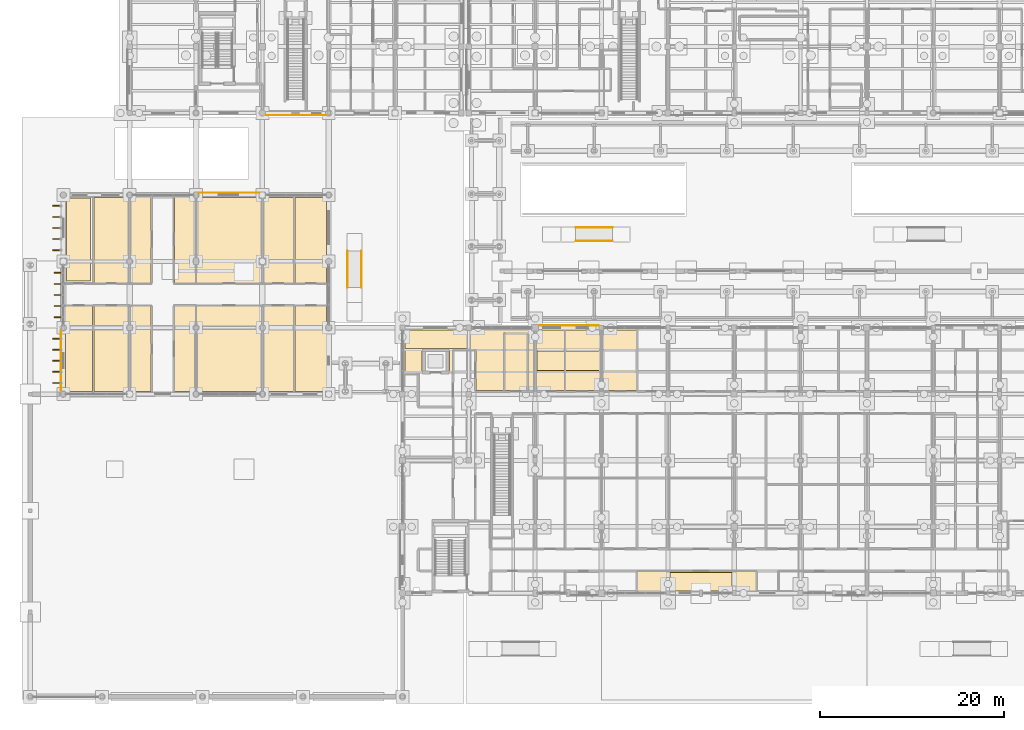
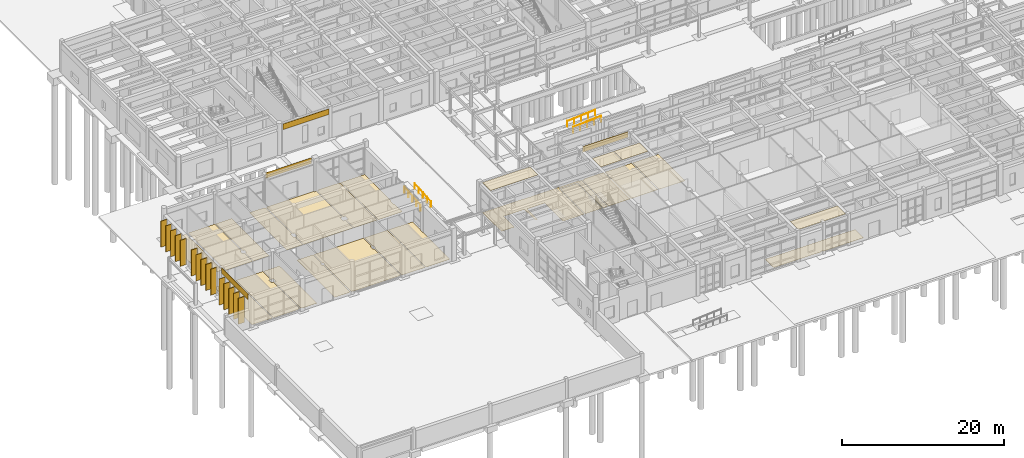
# One storey, part 128 of 143: 28 coverings, 15 shading devices, 4 railings.
"""IFC4 building model written with IfcOpenShell, lengths in metres."""

from ifc_helpers import new_model, si_unit, direction, frame, origin, origin_2d, place, context, subcontext, project, spatial, polyline, rectangle, circle, outline, extrude, material, layer, layer_set, material_profile, profile_set, type_object, element, save


model = new_model("IFC4")

# Units and contexts
model_context = context("Model", 3, precision=1e-05, world=origin(), true_north=direction((0.0, 1.0)))
body_context = subcontext(model_context, "Body", "Model", "MODEL_VIEW")
ifc_project = project(units=[si_unit("LENGTHUNIT", "METRE"), si_unit("AREAUNIT", "SQUARE_METRE"), si_unit("VOLUMEUNIT", "CUBIC_METRE"), si_unit("PLANEANGLEUNIT", "RADIAN"), si_unit("MASSUNIT", "GRAM", prefix="KILO")], contexts=[model_context])

# Site, building, storey
site_placement = place(None, origin())
site = spatial("IfcSite", under=ifc_project, at=site_placement, CompositionType="ELEMENT")
building_placement = place(site_placement, origin())
building = spatial("IfcBuilding", under=site, at=building_placement, Name="Steenspoor Specialist Clinic", CompositionType="ELEMENT")
storey_placement = place(building_placement, origin())
storey = spatial("IfcBuildingStorey", under=building, at=storey_placement, Name="L00", CompositionType="ELEMENT", Elevation=0.0)

# Coverings
ifc_material_1 = material(Name="Washable acoustic mineral ceiling board", Category="gypsum")
ifc_layer_1 = layer(ifc_material_1, 0.02490234375)
ifc_layer_set_1 = layer_set([ifc_layer_1], Name="Washable acoustic mineral ceiling board")
covering_type_1 = type_object("IfcCoveringType", Name="COV-CEIL-ACOUSTIC", PredefinedType="CEILING", material=ifc_layer_set_1)
covering_1_placement = place(storey_placement, frame((0.0, 0.0, 4.52490234375)))
element("IfcCovering", 1, at=covering_1_placement, inside=storey, type_object=covering_type_1, Name="Acoustic Clinical Ceiling 002", PredefinedType="CEILING", context=body_context, shape_type="SweptSolid", body=[
    extrude(outline(polyline([(77.784912109375, 13.31005859375), (77.784912109375, 13.405029296875), (77.4150390625, 13.405029296875), (77.4150390625, 13.31005859375), (74.219970703125, 13.31005859375), (74.219970703125, 15.300048828125), (80.97998046875, 15.300048828125), (80.97998046875, 13.320068359375), (80.985107421875, 13.320068359375), (80.985107421875, 13.31005859375), (77.784912109375, 13.31005859375)])), origin(), (0.0, 0.0, 1.0), 0.025146484375),
])
covering_2_placement = place(storey_placement, frame((0.0, 0.0, 4.52490234375)))
element("IfcCovering", 2, at=covering_2_placement, inside=storey, type_object=covering_type_1, Name="Acoustic Clinical Ceiling 027", PredefinedType="CEILING", context=body_context, shape_type="SweptSolid", body=[
    extrude(outline(polyline([(50.2900390625, 39.614990234375), (47.31005859375, 39.614990234375), (47.31005859375, 39.60009765625), (45.4599609375, 39.60009765625), (45.4599609375, 41.56005859375), (45.489990234375, 41.56005859375), (45.489990234375, 41.590087890625), (52.0849609375, 41.590087890625), (52.0849609375, 41.534912109375), (52.22998046875, 41.534912109375), (52.22998046875, 39.60009765625), (50.2900390625, 39.60009765625), (50.2900390625, 39.614990234375)])), origin(), (0.0, 0.0, 1.0), 0.025146484375),
])
covering_3_placement = place(storey_placement, frame((0.0, 0.0, 4.52490234375)))
element("IfcCovering", 3, at=covering_3_placement, inside=storey, type_object=covering_type_1, Name="Acoustic Clinical Ceiling 028", PredefinedType="CEILING", context=body_context, shape_type="SweptSolid", body=[
    extrude(outline(polyline([(62.784912109375, 37.18994140625), (59.820068359375, 37.18994140625), (59.820068359375, 39.300048828125), (62.784912109375, 39.300048828125), (62.784912109375, 37.18994140625)])), origin(), (0.0, 0.0, 1.0), 0.025146484375),
])
covering_4_placement = place(storey_placement, frame((0.0, 0.0, 4.52490234375)))
element("IfcCovering", 4, at=covering_4_placement, inside=storey, type_object=covering_type_1, Name="Acoustic Clinical Ceiling 029", PredefinedType="CEILING", context=body_context, shape_type="SweptSolid", body=[
    extrude(outline(polyline([(62.9150390625, 39.300048828125), (66.580078125, 39.300048828125), (66.580078125, 37.18994140625), (62.9150390625, 37.18994140625), (62.9150390625, 39.300048828125)])), origin(), (0.0, 0.0, 1.0), 0.025146484375),
])
ifc_material_2 = material(Name="Glazed ceramic relief spandrel cladding", Category="masonry")
ifc_layer_2 = layer(ifc_material_2, 0.034912109375)
ifc_layer_set_2 = layer_set([ifc_layer_2], Name="Glazed ceramic relief spandrel cladding")
covering_type_2 = type_object("IfcCoveringType", Name="COV-CLAD-CERAMIC", PredefinedType="CLADDING", material=ifc_layer_set_2)
covering_5_placement = place(storey_placement, frame((63.262451171875, 42.10009765625, 3.71484375), z_axis=(0.0, 0.0, 1.0), x_axis=(1.0, 0.0, 0.0)))
element("IfcCovering", 5, at=covering_5_placement, inside=storey, type_object=covering_type_2, Name="Spandrel Cladding 4", PredefinedType="CLADDING", context=body_context, shape_type="SweptSolid", body=[
    extrude(rectangle(XDim=6.455078125, YDim=0.0400390625, at=origin_2d()), origin(), (0.0, 0.0, 1.0), 0.840087890625),
])
for number, where, z_axis, x_axis, name in (
    (6, (8.14990234375, 38.262451171875, 3.96484375), (0.0, 0.0, 1.0), (0.0, 1.0, 0.0), "Spandrel Cladding 18"),
    (7, (26.33740234375, 56.5, 3.96484375), (0.0, 0.0, 1.0), (1.0, 0.0, 0.0), "Spandrel Cladding 19"),
):
    element("IfcCovering", number, at=place(storey_placement, frame(where, z_axis=z_axis, x_axis=x_axis)), inside=storey, type_object=covering_type_2, Name=name, PredefinedType="CLADDING", context=body_context, shape_type="SweptSolid", body=[
        extrude(rectangle(XDim=6.5048828125, YDim=0.0400390625, at=origin_2d()), origin(), (0.0, 0.0, 1.0), 0.840087890625),
    ])
covering_6_placement = place(storey_placement, frame((33.675048828125, 64.89990234375, 3.68505859375), z_axis=(0.0, 0.0, 1.0), x_axis=(-1.0, 0.0, 0.0)))
element("IfcCovering", 8, at=covering_6_placement, inside=storey, type_object=covering_type_2, Name="Spandrel Cladding 64", PredefinedType="CLADDING", context=body_context, shape_type="SweptSolid", body=[
    extrude(rectangle(XDim=6.530029296875, YDim=0.0400390625, at=origin_2d()), origin(), (0.0, 0.0, 1.0), 0.840087890625),
])
ifc_material_3 = material(Name="Seamless clinical vinyl and terrazzo flooring", Category="plastic")
ifc_layer_3 = layer(ifc_material_3, 0.02001953125)
ifc_layer_set_3 = layer_set([ifc_layer_3], Name="Seamless clinical vinyl and terrazzo flooring")
covering_type_3 = type_object("IfcCoveringType", Name="COV-FLOOR-VINYL", PredefinedType="FLOORING", material=ifc_layer_set_3)
covering_7_placement = place(storey_placement, origin())
element("IfcCovering", 9, at=covering_7_placement, inside=storey, type_object=covering_type_3, Name="Clinical Vinyl Flooring 3", PredefinedType="FLOORING", context=body_context, shape_type="SweptSolid", body=[
    extrude(outline(polyline([(83.534912109375, 13.31005859375), (81.4150390625, 13.31005859375), (81.4150390625, 13.340087890625), (80.985107421875, 13.340087890625), (80.985107421875, 13.31005859375), (77.784912109375, 13.31005859375), (77.784912109375, 13.405029296875), (77.4150390625, 13.405029296875), (77.4150390625, 13.31005859375), (70.715087890625, 13.31005859375), (70.715087890625, 15.385009765625), (83.534912109375, 15.385009765625), (83.534912109375, 13.31005859375)])), origin(), (0.0, 0.0, 1.0), 0.02001953125),
])
covering_8_placement = place(storey_placement, origin())
element("IfcCovering", 10, at=covering_8_placement, inside=storey, type_object=covering_type_3, Name="Clinical Vinyl Flooring 31", PredefinedType="FLOORING", context=body_context, shape_type="SweptSolid", body=[
    extrude(outline(polyline([(58.735107421875, 41.1650390625), (58.735107421875, 35.014892578125), (56.31494140625, 35.014892578125), (56.31494140625, 41.1650390625), (58.735107421875, 41.1650390625)])), origin(), (0.0, 0.0, 1.0), 0.02001953125),
])
covering_9_placement = place(storey_placement, origin())
element("IfcCovering", 11, at=covering_9_placement, inside=storey, type_object=covering_type_3, Name="Clinical Vinyl Flooring 32", PredefinedType="FLOORING", context=body_context, shape_type="SweptSolid", body=[
    extrude(outline(polyline([(58.864990234375, 35.014892578125), (58.864990234375, 41.294921875), (56.18505859375, 41.294921875), (56.18505859375, 35.014892578125), (53.1650390625, 35.014892578125), (53.1650390625, 39.514892578125), (50.635009765625, 39.514892578125), (50.635009765625, 36.9150390625), (50.2900390625, 36.9150390625), (50.2900390625, 39.614990234375), (47.31005859375, 39.614990234375), (47.31005859375, 36.9150390625), (45.4599609375, 36.9150390625), (45.4599609375, 41.56005859375), (45.489990234375, 41.56005859375), (45.489990234375, 41.590087890625), (52.0849609375, 41.590087890625), (52.0849609375, 41.534912109375), (52.715087890625, 41.534912109375), (52.715087890625, 41.590087890625), (59.2099609375, 41.590087890625), (59.2099609375, 41.4599609375), (59.534912109375, 41.4599609375), (59.534912109375, 35.014892578125), (58.864990234375, 35.014892578125)])), origin(), (0.0, 0.0, 1.0), 0.02001953125),
])
covering_10_placement = place(storey_placement, origin())
element("IfcCovering", 12, at=covering_10_placement, inside=storey, type_object=covering_type_3, Name="Clinical Vinyl Flooring 33", PredefinedType="FLOORING", context=body_context, shape_type="SweptSolid", body=[
    extrude(outline(polyline([(59.6650390625, 41.4599609375), (59.989990234375, 41.4599609375), (59.989990234375, 41.590087890625), (62.784912109375, 41.590087890625), (62.784912109375, 35.014892578125), (59.6650390625, 35.014892578125), (59.6650390625, 41.4599609375)])), origin(), (0.0, 0.0, 1.0), 0.02001953125),
])
covering_11_placement = place(storey_placement, origin())
element("IfcCovering", 13, at=covering_11_placement, inside=storey, type_object=covering_type_3, Name="Clinical Vinyl Flooring 34", PredefinedType="FLOORING", context=body_context, shape_type="SweptSolid", body=[
    extrude(outline(polyline([(62.9150390625, 41.590087890625), (66.534912109375, 41.590087890625), (66.534912109375, 41.5849609375), (66.735107421875, 41.5849609375), (66.735107421875, 35.014892578125), (62.9150390625, 35.014892578125), (62.9150390625, 41.590087890625)])), origin(), (0.0, 0.0, 1.0), 0.02001953125),
])
covering_12_placement = place(storey_placement, origin())
element("IfcCovering", 14, at=covering_12_placement, inside=storey, type_object=covering_type_3, Name="Clinical Vinyl Flooring 35", PredefinedType="FLOORING", context=body_context, shape_type="SweptSolid", body=[
    extrude(outline(polyline([(66.864990234375, 41.5849609375), (67.06494140625, 41.5849609375), (67.06494140625, 41.590087890625), (70.5849609375, 41.590087890625), (70.5849609375, 35.014892578125), (66.864990234375, 35.014892578125), (66.864990234375, 41.5849609375)])), origin(), (0.0, 0.0, 1.0), 0.02001953125),
])
covering_13_placement = place(storey_placement, origin())
element("IfcCovering", 15, at=covering_13_placement, inside=storey, type_object=covering_type_3, Name="Clinical Vinyl Flooring 61", PredefinedType="FLOORING", context=body_context, shape_type="SweptSolid", body=[
    extrude(outline(polyline([(11.5849609375, 34.909912109375), (8.659912109375, 34.909912109375), (8.659912109375, 44.18505859375), (11.5849609375, 44.18505859375), (11.5849609375, 34.909912109375)])), origin(), (0.0, 0.0, 1.0), 0.02001953125),
])
covering_14_placement = place(storey_placement, origin())
element("IfcCovering", 16, at=covering_14_placement, inside=storey, type_object=covering_type_3, Name="Clinical Vinyl Flooring 62", PredefinedType="FLOORING", context=body_context, shape_type="SweptSolid", body=[
    extrude(outline(polyline([(15.534912109375, 44.18505859375), (15.534912109375, 42.1650390625), (15.284912109375, 42.1650390625), (15.284912109375, 41.534912109375), (15.534912109375, 41.534912109375), (15.534912109375, 34.989990234375), (15.260009765625, 34.989990234375), (15.260009765625, 34.909912109375), (11.715087890625, 34.909912109375), (11.715087890625, 44.18505859375), (15.534912109375, 44.18505859375)])), origin(), (0.0, 0.0, 1.0), 0.02001953125),
])
covering_15_placement = place(storey_placement, origin())
element("IfcCovering", 17, at=covering_15_placement, inside=storey, type_object=covering_type_3, Name="Clinical Vinyl Flooring 63", PredefinedType="FLOORING", context=body_context, shape_type="SweptSolid", body=[
    extrude(outline(polyline([(17.93505859375, 44.18505859375), (17.93505859375, 34.909912109375), (15.93994140625, 34.909912109375), (15.93994140625, 34.989990234375), (15.6650390625, 34.989990234375), (15.6650390625, 41.534912109375), (15.9150390625, 41.534912109375), (15.9150390625, 42.1650390625), (15.6650390625, 42.1650390625), (15.6650390625, 44.18505859375), (17.93505859375, 44.18505859375)])), origin(), (0.0, 0.0, 1.0), 0.02001953125),
])
covering_16_placement = place(storey_placement, origin())
element("IfcCovering", 18, at=covering_16_placement, inside=storey, type_object=covering_type_3, Name="Clinical Vinyl Flooring 64", PredefinedType="FLOORING", context=body_context, shape_type="SweptSolid", body=[
    extrude(outline(polyline([(22.735107421875, 42.06494140625), (22.5849609375, 42.06494140625), (22.5849609375, 41.635009765625), (22.735107421875, 41.635009765625), (22.735107421875, 34.965087890625), (22.485107421875, 34.965087890625), (22.485107421875, 34.909912109375), (20.465087890625, 34.909912109375), (20.465087890625, 44.18505859375), (22.735107421875, 44.18505859375), (22.735107421875, 42.06494140625)])), origin(), (0.0, 0.0, 1.0), 0.02001953125),
])
covering_17_placement = place(storey_placement, origin())
element("IfcCovering", 19, at=covering_17_placement, inside=storey, type_object=covering_type_3, Name="Clinical Vinyl Flooring 65", PredefinedType="FLOORING", context=body_context, shape_type="SweptSolid", body=[
    extrude(outline(polyline([(29.93505859375, 42.139892578125), (29.784912109375, 42.139892578125), (29.784912109375, 41.56005859375), (29.93505859375, 41.56005859375), (29.93505859375, 34.965087890625), (29.760009765625, 34.965087890625), (29.760009765625, 34.909912109375), (23.114990234375, 34.909912109375), (23.114990234375, 34.965087890625), (22.864990234375, 34.965087890625), (22.864990234375, 41.635009765625), (23.014892578125, 41.635009765625), (23.014892578125, 42.06494140625), (22.864990234375, 42.06494140625), (22.864990234375, 44.18505859375), (29.93505859375, 44.18505859375), (29.93505859375, 42.139892578125)])), origin(), (0.0, 0.0, 1.0), 0.02001953125),
])
covering_18_placement = place(storey_placement, origin())
element("IfcCovering", 20, at=covering_18_placement, inside=storey, type_object=covering_type_3, Name="Clinical Vinyl Flooring 66", PredefinedType="FLOORING", context=body_context, shape_type="SweptSolid", body=[
    extrude(outline(polyline([(33.385009765625, 34.909912109375), (30.239990234375, 34.909912109375), (30.239990234375, 34.965087890625), (30.06494140625, 34.965087890625), (30.06494140625, 41.56005859375), (30.215087890625, 41.56005859375), (30.215087890625, 42.139892578125), (30.06494140625, 42.139892578125), (30.06494140625, 44.18505859375), (33.385009765625, 44.18505859375), (33.385009765625, 34.909912109375)])), origin(), (0.0, 0.0, 1.0), 0.02001953125),
])
covering_19_placement = place(storey_placement, origin())
element("IfcCovering", 21, at=covering_19_placement, inside=storey, type_object=covering_type_3, Name="Clinical Vinyl Flooring 67", PredefinedType="FLOORING", context=body_context, shape_type="SweptSolid", body=[
    extrude(outline(polyline([(36.93994140625, 42.1650390625), (36.885009765625, 42.1650390625), (36.885009765625, 41.534912109375), (36.93994140625, 41.534912109375), (36.93994140625, 34.989990234375), (36.860107421875, 34.989990234375), (36.860107421875, 34.909912109375), (33.514892578125, 34.909912109375), (33.514892578125, 44.18505859375), (36.93994140625, 44.18505859375), (36.93994140625, 42.1650390625)])), origin(), (0.0, 0.0, 1.0), 0.02001953125),
])
covering_20_placement = place(storey_placement, origin())
element("IfcCovering", 22, at=covering_20_placement, inside=storey, type_object=covering_type_3, Name="Clinical Vinyl Flooring 68", PredefinedType="FLOORING", context=body_context, shape_type="SweptSolid", body=[
    extrude(outline(polyline([(11.364990234375, 55.925048828125), (11.364990234375, 46.93505859375), (8.72509765625, 46.93505859375), (8.72509765625, 48.659912109375), (8.7900390625, 48.659912109375), (8.7900390625, 49.43994140625), (8.72509765625, 49.43994140625), (8.72509765625, 55.909912109375), (8.739990234375, 55.909912109375), (8.739990234375, 55.925048828125), (11.364990234375, 55.925048828125)])), origin(), (0.0, 0.0, 1.0), 0.02001953125),
])
covering_21_placement = place(storey_placement, origin())
element("IfcCovering", 23, at=covering_21_placement, inside=storey, type_object=covering_type_3, Name="Clinical Vinyl Flooring 69", PredefinedType="FLOORING", context=body_context, shape_type="SweptSolid", body=[
    extrude(outline(polyline([(11.715087890625, 55.989990234375), (15.3349609375, 55.989990234375), (15.3349609375, 55.985107421875), (15.534912109375, 55.985107421875), (15.534912109375, 49.340087890625), (15.31005859375, 49.340087890625), (15.31005859375, 48.760009765625), (15.534912109375, 48.760009765625), (15.534912109375, 46.715087890625), (11.715087890625, 46.715087890625), (11.715087890625, 55.989990234375)])), origin(), (0.0, 0.0, 1.0), 0.02001953125),
])
covering_22_placement = place(storey_placement, origin())
element("IfcCovering", 24, at=covering_22_placement, inside=storey, type_object=covering_type_3, Name="Clinical Vinyl Flooring 70", PredefinedType="FLOORING", context=body_context, shape_type="SweptSolid", body=[
    extrude(outline(polyline([(15.6650390625, 48.760009765625), (15.889892578125, 48.760009765625), (15.889892578125, 49.340087890625), (15.6650390625, 49.340087890625), (15.6650390625, 55.985107421875), (15.864990234375, 55.985107421875), (15.864990234375, 55.989990234375), (17.93505859375, 55.989990234375), (17.93505859375, 46.715087890625), (15.6650390625, 46.715087890625), (15.6650390625, 48.760009765625)])), origin(), (0.0, 0.0, 1.0), 0.02001953125),
])
covering_23_placement = place(storey_placement, origin())
element("IfcCovering", 25, at=covering_23_placement, inside=storey, type_object=covering_type_3, Name="Clinical Vinyl Flooring 71", PredefinedType="FLOORING", context=body_context, shape_type="SweptSolid", body=[
    extrude(outline(polyline([(20.465087890625, 46.715087890625), (20.465087890625, 55.989990234375), (22.56005859375, 55.989990234375), (22.56005859375, 55.909912109375), (22.735107421875, 55.909912109375), (22.735107421875, 49.4150390625), (22.534912109375, 49.4150390625), (22.534912109375, 48.68505859375), (22.735107421875, 48.68505859375), (22.735107421875, 46.715087890625), (20.465087890625, 46.715087890625)])), origin(), (0.0, 0.0, 1.0), 0.02001953125),
])
covering_24_placement = place(storey_placement, origin())
element("IfcCovering", 26, at=covering_24_placement, inside=storey, type_object=covering_type_3, Name="Clinical Vinyl Flooring 72", PredefinedType="FLOORING", context=body_context, shape_type="SweptSolid", body=[
    extrude(outline(polyline([(22.864990234375, 46.715087890625), (22.864990234375, 48.68505859375), (23.06494140625, 48.68505859375), (23.06494140625, 49.4150390625), (22.864990234375, 49.4150390625), (22.864990234375, 55.909912109375), (23.0400390625, 55.909912109375), (23.0400390625, 55.989990234375), (29.635009765625, 55.989990234375), (29.635009765625, 55.885009765625), (29.93505859375, 55.885009765625), (29.93505859375, 49.43994140625), (29.610107421875, 49.43994140625), (29.610107421875, 48.659912109375), (29.93505859375, 48.659912109375), (29.93505859375, 46.715087890625), (22.864990234375, 46.715087890625)])), origin(), (0.0, 0.0, 1.0), 0.02001953125),
])
covering_25_placement = place(storey_placement, origin())
element("IfcCovering", 27, at=covering_25_placement, inside=storey, type_object=covering_type_3, Name="Clinical Vinyl Flooring 73", PredefinedType="FLOORING", context=body_context, shape_type="SweptSolid", body=[
    extrude(outline(polyline([(30.06494140625, 46.715087890625), (30.06494140625, 48.659912109375), (30.389892578125, 48.659912109375), (30.389892578125, 49.43994140625), (30.06494140625, 49.43994140625), (30.06494140625, 55.885009765625), (30.364990234375, 55.885009765625), (30.364990234375, 55.989990234375), (33.385009765625, 55.989990234375), (33.385009765625, 46.715087890625), (30.06494140625, 46.715087890625)])), origin(), (0.0, 0.0, 1.0), 0.02001953125),
])
covering_26_placement = place(storey_placement, origin())
element("IfcCovering", 28, at=covering_26_placement, inside=storey, type_object=covering_type_3, Name="Clinical Vinyl Flooring 74", PredefinedType="FLOORING", context=body_context, shape_type="SweptSolid", body=[
    extrude(outline(polyline([(36.93505859375, 55.989990234375), (36.93505859375, 55.985107421875), (36.93994140625, 55.985107421875), (36.93994140625, 49.4150390625), (36.8349609375, 49.4150390625), (36.8349609375, 48.68505859375), (36.93994140625, 48.68505859375), (36.93994140625, 46.715087890625), (33.514892578125, 46.715087890625), (33.514892578125, 55.989990234375), (36.93505859375, 55.989990234375)])), origin(), (0.0, 0.0, 1.0), 0.02001953125),
])

# Railings
ifc_material_4 = material(Name="Brushed stainless steel clinical handrail", Category="steel")
railing_type = type_object("IfcRailingType", Name="RAIL-HAND-900", PredefinedType="HANDRAIL", material=ifc_material_4)
for number, where, name in (
    (29, (40.739990234375, 46.199951171875, -0.300048828125), "Ramp Handrail RMP-04 L"),
    (30, (39.260009765625, 46.199951171875, -0.300048828125), "Ramp Handrail RMP-04 R"),
):
    element("IfcRailing", number, at=place(storey_placement, frame(where)), inside=storey, type_object=railing_type, Name=name, PredefinedType="HANDRAIL", context=body_context, shape_type="SweptSolid", body=[
        extrude(circle(Radius=0.02392578125, at=origin_2d()), frame((0.0, 0.0, 0.8759765625), z_axis=(0.0, 0.997198401959, 0.074802052979), x_axis=(-1.0, 0.0, 0.0)), (0.0, 0.0, 1.0), 4.01123046875),
        extrude(circle(Radius=0.02099609375, at=origin_2d()), origin(), (0.0, 0.0, 1.0), 0.851806640625),
        extrude(circle(Radius=0.02099609375, at=origin_2d()), frame((0.0, 1.0, 0.074951171875)), (0.0, 0.0, 1.0), 0.851806640625),
        extrude(circle(Radius=0.02099609375, at=origin_2d()), frame((0.0, 2.0, 0.14990234375)), (0.0, 0.0, 1.0), 0.851806640625),
        extrude(circle(Radius=0.02099609375, at=origin_2d()), frame((0.0, 3.0, 0.22509765625)), (0.0, 0.0, 1.0), 0.851806640625),
        extrude(circle(Radius=0.02099609375, at=origin_2d()), frame((0.0, 4.0, 0.300048828125)), (0.0, 0.0, 1.0), 0.851806640625),
    ])
for number, where, name in (
    (31, (64.0, 51.260009765625, -0.300048828125), "Ramp Handrail RMP-05 L"),
    (32, (64.0, 52.739990234375, -0.300048828125), "Ramp Handrail RMP-05 R"),
):
    element("IfcRailing", number, at=place(storey_placement, frame(where)), inside=storey, type_object=railing_type, Name=name, PredefinedType="HANDRAIL", context=body_context, shape_type="SweptSolid", body=[
        extrude(circle(Radius=0.02392578125, at=origin_2d()), frame((0.0, 0.0, 0.8759765625), z_axis=(0.997198401959, 0.0, 0.074802052979), x_axis=(0.0, 1.0, 0.0)), (0.0, 0.0, 1.0), 4.01123046875),
        extrude(circle(Radius=0.02099609375, at=origin_2d()), origin(), (0.0, 0.0, 1.0), 0.851806640625),
        extrude(circle(Radius=0.02099609375, at=origin_2d()), frame((1.0, 0.0, 0.074951171875)), (0.0, 0.0, 1.0), 0.851806640625),
        extrude(circle(Radius=0.02099609375, at=origin_2d()), frame((2.0, 0.0, 0.14990234375)), (0.0, 0.0, 1.0), 0.851806640625),
        extrude(circle(Radius=0.02099609375, at=origin_2d()), frame((3.0, 0.0, 0.22509765625)), (0.0, 0.0, 1.0), 0.851806640625),
        extrude(circle(Radius=0.02099609375, at=origin_2d()), frame((4.0, 0.0, 0.300048828125)), (0.0, 0.0, 1.0), 0.851806640625),
    ])

# Shading devices
ifc_material_5 = material(Name="Glulam GL28h", Category="wood")
ifc_material_profile = material_profile(ifc_material_5, rectangle(XDim=0.090087890625, YDim=0.85009765625, at=origin_2d()), Name="GL28H-90X850")
ifc_profile_set = profile_set([ifc_material_profile], Name="Glulam GL28h")
shading_device_type = type_object("IfcShadingDeviceType", Name="SHADE-FIN-850", PredefinedType="JALOUSIE", material=ifc_profile_set)
for number, where, z_axis, x_axis, name in (
    (33, (7.695068359375, 35.862548828125, 0.0), (0.0, 0.0, 1.0), (0.0, 1.0, 0.0), "Glulam Sun Fin FIN-V3-L00-0001"),
    (34, (7.695068359375, 37.0625, 0.0), (0.0, 0.0, 1.0), (0.0, 1.0, 0.0), "Glulam Sun Fin FIN-V3-L00-0002"),
    (35, (7.695068359375, 38.262451171875, 0.0), (0.0, 0.0, 1.0), (0.0, 1.0, 0.0), "Glulam Sun Fin FIN-V3-L00-0003"),
    (36, (7.695068359375, 39.46240234375, 0.0), (0.0, 0.0, 1.0), (0.0, 1.0, 0.0), "Glulam Sun Fin FIN-V3-L00-0004"),
    (37, (7.695068359375, 40.66259765625, 0.0), (0.0, 0.0, 1.0), (0.0, 1.0, 0.0), "Glulam Sun Fin FIN-V3-L00-0005"),
    (38, (7.844970703125, 43.0, 0.0), (0.0, 0.0, 1.0), (0.0, 1.0, 0.0), "Glulam Sun Fin FIN-V3-L00-0006"),
    (39, (7.844970703125, 44.199951171875, 0.0), (0.0, 0.0, 1.0), (0.0, 1.0, 0.0), "Glulam Sun Fin FIN-V3-L00-0007"),
    (40, (7.844970703125, 45.39990234375, 0.0), (0.0, 0.0, 1.0), (0.0, 1.0, 0.0), "Glulam Sun Fin FIN-V3-L00-0008"),
    (41, (7.844970703125, 46.60009765625, 0.0), (0.0, 0.0, 1.0), (0.0, 1.0, 0.0), "Glulam Sun Fin FIN-V3-L00-0009"),
    (42, (7.844970703125, 47.800048828125, 0.0), (0.0, 0.0, 1.0), (0.0, 1.0, 0.0), "Glulam Sun Fin FIN-V3-L00-0010"),
    (43, (7.695068359375, 50.27490234375, 0.0), (0.0, 0.0, 1.0), (0.0, 1.0, 0.0), "Glulam Sun Fin FIN-V3-L00-0011"),
    (44, (7.695068359375, 51.47509765625, 0.0), (0.0, 0.0, 1.0), (0.0, 1.0, 0.0), "Glulam Sun Fin FIN-V3-L00-0012"),
    (45, (7.695068359375, 52.675048828125, 0.0), (0.0, 0.0, 1.0), (0.0, 1.0, 0.0), "Glulam Sun Fin FIN-V3-L00-0013"),
    (46, (7.695068359375, 53.875, 0.0), (0.0, 0.0, 1.0), (0.0, 1.0, 0.0), "Glulam Sun Fin FIN-V3-L00-0014"),
    (47, (7.695068359375, 55.074951171875, 0.0), (0.0, 0.0, 1.0), (0.0, 1.0, 0.0), "Glulam Sun Fin FIN-V3-L00-0015"),
):
    element("IfcShadingDevice", number, at=place(storey_placement, frame(where, z_axis=z_axis, x_axis=x_axis)), inside=storey, type_object=shading_device_type, Name=name, PredefinedType="JALOUSIE", context=body_context, shape_type="SweptSolid", body=[
        extrude(rectangle(XDim=0.090087890625, YDim=0.85009765625, at=origin_2d()), origin(), (0.0, 0.0, 1.0), 3.929931640625),
    ])

save(model, "model.ifc")
